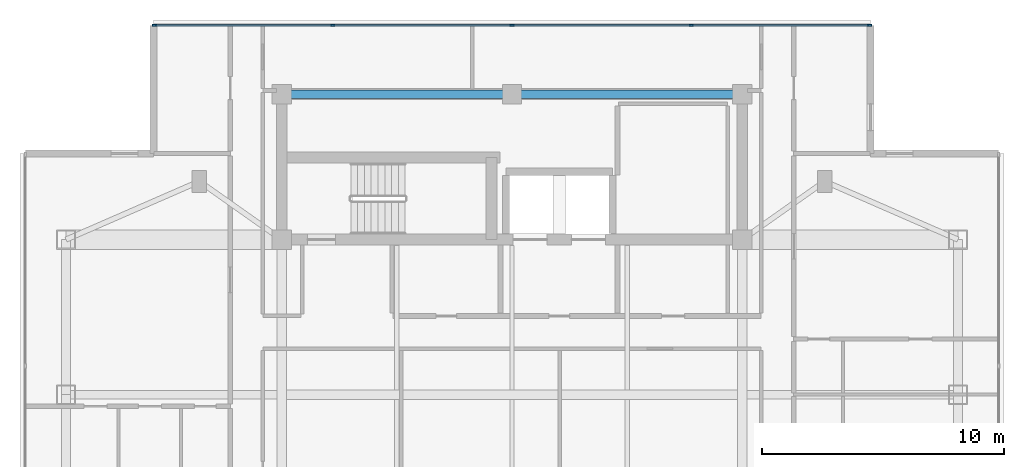
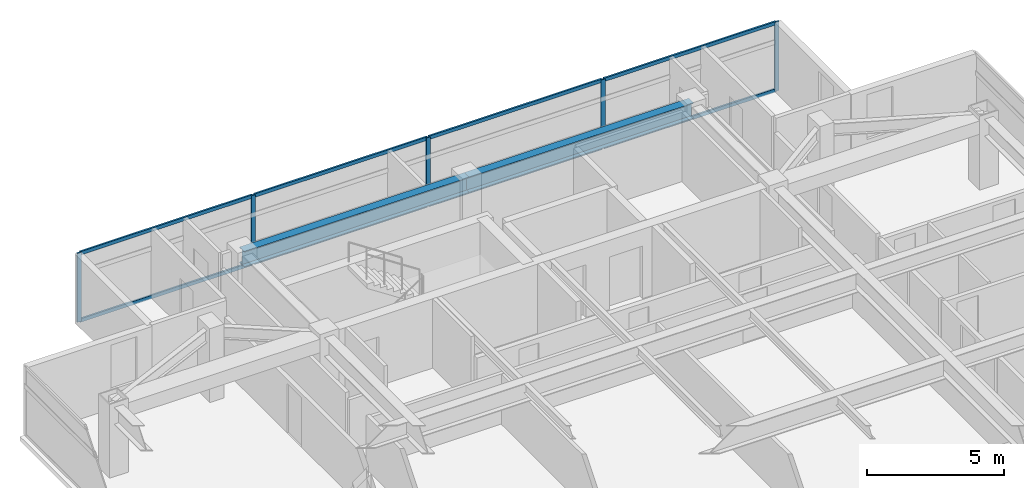
# One storey, part 5 of 12: 13 members, 2 beams, 1 element without a shape of its own.
"""IFC4 building model written with IfcOpenShell, lengths in metres."""

from ifc_helpers import new_model, si_unit, direction, frame, origin, origin_2d, place, context, subcontext, project, spatial, rectangle, i_section, extrude, material, material_profile, profile_set, type_object, element, aggregate, save


model = new_model("IFC4")

# Units and contexts
model_context = context("Model", 3, precision=1e-05, world=origin(), true_north=direction((0.0, 1.0)))
body_context = subcontext(model_context, "Body", "Model", "MODEL_VIEW")
ifc_project = project(units=[si_unit("LENGTHUNIT", "METRE"), si_unit("AREAUNIT", "SQUARE_METRE"), si_unit("VOLUMEUNIT", "CUBIC_METRE"), si_unit("PLANEANGLEUNIT", "RADIAN"), si_unit("MASSUNIT", "GRAM", prefix="KILO")], contexts=[model_context])

# Site, building, storey
site_placement = place(None, origin())
site = spatial("IfcSite", under=ifc_project, at=site_placement, CompositionType="ELEMENT")
building_placement = place(site_placement, origin())
building = spatial("IfcBuilding", under=site, at=building_placement, Name="Mirazonda Arch Towers", CompositionType="ELEMENT")
storey_placement = place(building_placement, frame((0.0, 0.0, 219.39990234375)))
storey = spatial("IfcBuildingStorey", under=building, at=storey_placement, Name="L62", CompositionType="ELEMENT", Elevation=219.39990234375)

# Beams
ifc_material_1 = material(Name="Steel ASTM A992 Grade 50", Category="steel")
ifc_material_profile_1 = material_profile(ifc_material_1, i_section(OverallWidth=0.35498046875, OverallDepth=0.696044921875, WebThickness=0.015380859375, FlangeThickness=0.02490234375, at=origin_2d()), Name="W27X146")
ifc_profile_set_1 = profile_set([ifc_material_profile_1], Name="Steel ASTM A992 Grade 50")
beam_type = type_object("IfcBeamType", Name="BM-INT-W27X146", PredefinedType="BEAM", material=ifc_profile_set_1)
for number, where, z_axis, x_axis, name in (
    (1, (11.0, 43.60009765625, 2.752197265625), (1.0, 0.0, 0.0), (0.0, 1.0, 0.0), "L62 Floor Beam BM-T1-L62-CN1"),
    (2, (20.5, 43.60009765625, 2.752197265625), (1.0, 0.0, 0.0), (0.0, 1.0, 0.0), "L62 Floor Beam BM-T1-L62-CN2"),
):
    element("IfcBeam", number, at=place(storey_placement, frame(where, z_axis=z_axis, x_axis=x_axis)), inside=storey, type_object=beam_type, Name=name, PredefinedType="BEAM", context=body_context, shape_type="SweptSolid", body=[
        extrude(i_section(OverallWidth=0.35498046875, OverallDepth=0.696044921875, WebThickness=0.015380859375, FlangeThickness=0.02490234375, at=origin_2d()), origin(), (0.0, 0.0, 1.0), 9.5),
    ])

# Curtain wall, members
ifc_material_2 = material(Name="Anodised Aluminium and Low-E Glass", Category="aluminium")
curtain_wall_type = type_object("IfcCurtainWallType", Name="CW-RES-UNIT", PredefinedType="NOTDEFINED", material=ifc_material_2)
curtain_wall_placement = place(storey_placement, origin())
curtain_wall = element("IfcCurtainWall", 3, at=curtain_wall_placement, inside=storey, type_object=curtain_wall_type, Name="L62 T1 N Facade CW-L62-T1-N", PredefinedType="NOTDEFINED")
ifc_material_3 = material(Name="Anodised Aluminium Alloy", Category="aluminium")
ifc_material_profile_2 = material_profile(ifc_material_3, rectangle(XDim=0.074951171875, YDim=0.175048828125, at=origin_2d()), Name="ALU-MULL-75x175")
ifc_profile_set_2 = profile_set([ifc_material_profile_2], Name="Anodised Aluminium Alloy")
member_type_1 = type_object("IfcMemberType", Name="MULL-CW-RES-UNIT", PredefinedType="MULLION", material=ifc_profile_set_2)
member_1_placement = place(storey_placement, frame((5.74755859375, 46.43994140625, 0.0), z_axis=(0.0, 0.0, 1.0), x_axis=(0.0, 1.0, 0.0)))
member_1 = element("IfcMember", 4, at=member_1_placement, type_object=member_type_1, Name="CW-104 mullion 1", PredefinedType="MULLION", context=body_context, shape_type="SweptSolid", body=[
    extrude(rectangle(XDim=0.074951171875, YDim=0.175048828125, at=origin_2d()), origin(), (0.0, 0.0, 1.0), 3.080078125),
])
member_2_placement = place(storey_placement, frame((13.10498046875, 46.43994140625, 0.0), z_axis=(0.0, 0.0, 1.0), x_axis=(0.0, 1.0, 0.0)))
member_2 = element("IfcMember", 5, at=member_2_placement, type_object=member_type_1, Name="CW-104 mullion 2", PredefinedType="MULLION", context=body_context, shape_type="SweptSolid", body=[
    extrude(rectangle(XDim=0.074951171875, YDim=0.175048828125, at=origin_2d()), origin(), (0.0, 0.0, 1.0), 3.080078125),
])
member_3_placement = place(storey_placement, frame((20.5, 46.43994140625, 0.0), z_axis=(0.0, 0.0, 1.0), x_axis=(0.0, 1.0, 0.0)))
member_3 = element("IfcMember", 6, at=member_3_placement, type_object=member_type_1, Name="CW-104 mullion 3", PredefinedType="MULLION", context=body_context, shape_type="SweptSolid", body=[
    extrude(rectangle(XDim=0.074951171875, YDim=0.175048828125, at=origin_2d()), origin(), (0.0, 0.0, 1.0), 3.080078125),
])
member_4_placement = place(storey_placement, frame((27.89501953125, 46.43994140625, 0.0), z_axis=(0.0, 0.0, 1.0), x_axis=(0.0, 1.0, 0.0)))
member_4 = element("IfcMember", 7, at=member_4_placement, type_object=member_type_1, Name="CW-104 mullion 4", PredefinedType="MULLION", context=body_context, shape_type="SweptSolid", body=[
    extrude(rectangle(XDim=0.074951171875, YDim=0.175048828125, at=origin_2d()), origin(), (0.0, 0.0, 1.0), 3.080078125),
])
member_5_placement = place(storey_placement, frame((35.25244140625, 46.43994140625, 0.0), z_axis=(0.0, 0.0, 1.0), x_axis=(0.0, 1.0, 0.0)))
member_5 = element("IfcMember", 8, at=member_5_placement, type_object=member_type_1, Name="CW-104 mullion 5", PredefinedType="MULLION", context=body_context, shape_type="SweptSolid", body=[
    extrude(rectangle(XDim=0.074951171875, YDim=0.175048828125, at=origin_2d()), origin(), (0.0, 0.0, 1.0), 3.080078125),
])
ifc_material_profile_3 = material_profile(ifc_material_3, rectangle(XDim=0.074951171875, YDim=0.155029296875, at=origin_2d()), Name="ALU-TRAN-75x155")
ifc_profile_set_3 = profile_set([ifc_material_profile_3], Name="Anodised Aluminium Alloy")
member_type_2 = type_object("IfcMemberType", Name="TRAN-CW-RES-UNIT", PredefinedType="USERDEFINED", material=ifc_profile_set_3)
member_6_placement = place(storey_placement, frame((5.784912109375, 46.43994140625, 0.03759765625), z_axis=(1.0, 0.0, 0.0), x_axis=(0.0, 1.0, 0.0)))
member_6 = element("IfcMember", 9, at=member_6_placement, type_object=member_type_2, Name="CW-104 transom 1.1", ObjectType="TRANSOM", PredefinedType="USERDEFINED", context=body_context, shape_type="SweptSolid", body=[
    extrude(rectangle(XDim=0.074951171875, YDim=0.155029296875, at=origin_2d()), origin(), (0.0, 0.0, 1.0), 7.282470703125),
])
member_7_placement = place(storey_placement, frame((5.784912109375, 46.43994140625, 3.04248046875), z_axis=(1.0, 0.0, 0.0), x_axis=(0.0, 1.0, 0.0)))
member_7 = element("IfcMember", 10, at=member_7_placement, type_object=member_type_2, Name="CW-104 transom 1.2", ObjectType="TRANSOM", PredefinedType="USERDEFINED", context=body_context, shape_type="SweptSolid", body=[
    extrude(rectangle(XDim=0.074951171875, YDim=0.155029296875, at=origin_2d()), origin(), (0.0, 0.0, 1.0), 7.282470703125),
])
member_8_placement = place(storey_placement, frame((13.142578125, 46.43994140625, 0.03759765625), z_axis=(1.0, 0.0, 0.0), x_axis=(0.0, 1.0, 0.0)))
member_8 = element("IfcMember", 11, at=member_8_placement, type_object=member_type_2, Name="CW-104 transom 2.1", ObjectType="TRANSOM", PredefinedType="USERDEFINED", context=body_context, shape_type="SweptSolid", body=[
    extrude(rectangle(XDim=0.074951171875, YDim=0.155029296875, at=origin_2d()), origin(), (0.0, 0.0, 1.0), 7.31982421875),
])
member_9_placement = place(storey_placement, frame((13.142578125, 46.43994140625, 3.04248046875), z_axis=(1.0, 0.0, 0.0), x_axis=(0.0, 1.0, 0.0)))
member_9 = element("IfcMember", 12, at=member_9_placement, type_object=member_type_2, Name="CW-104 transom 2.2", ObjectType="TRANSOM", PredefinedType="USERDEFINED", context=body_context, shape_type="SweptSolid", body=[
    extrude(rectangle(XDim=0.074951171875, YDim=0.155029296875, at=origin_2d()), origin(), (0.0, 0.0, 1.0), 7.31982421875),
])
member_10_placement = place(storey_placement, frame((20.53759765625, 46.43994140625, 0.03759765625), z_axis=(1.0, 0.0, 0.0), x_axis=(0.0, 1.0, 0.0)))
member_10 = element("IfcMember", 13, at=member_10_placement, type_object=member_type_2, Name="CW-104 transom 3.1", ObjectType="TRANSOM", PredefinedType="USERDEFINED", context=body_context, shape_type="SweptSolid", body=[
    extrude(rectangle(XDim=0.074951171875, YDim=0.155029296875, at=origin_2d()), origin(), (0.0, 0.0, 1.0), 7.31982421875),
])
member_11_placement = place(storey_placement, frame((20.53759765625, 46.43994140625, 3.04248046875), z_axis=(1.0, 0.0, 0.0), x_axis=(0.0, 1.0, 0.0)))
member_11 = element("IfcMember", 14, at=member_11_placement, type_object=member_type_2, Name="CW-104 transom 3.2", ObjectType="TRANSOM", PredefinedType="USERDEFINED", context=body_context, shape_type="SweptSolid", body=[
    extrude(rectangle(XDim=0.074951171875, YDim=0.155029296875, at=origin_2d()), origin(), (0.0, 0.0, 1.0), 7.31982421875),
])
member_12_placement = place(storey_placement, frame((27.9326171875, 46.43994140625, 0.03759765625), z_axis=(1.0, 0.0, 0.0), x_axis=(0.0, 1.0, 0.0)))
member_12 = element("IfcMember", 15, at=member_12_placement, type_object=member_type_2, Name="CW-104 transom 4.1", ObjectType="TRANSOM", PredefinedType="USERDEFINED", context=body_context, shape_type="SweptSolid", body=[
    extrude(rectangle(XDim=0.074951171875, YDim=0.155029296875, at=origin_2d()), origin(), (0.0, 0.0, 1.0), 7.282470703125),
])
member_13_placement = place(storey_placement, frame((27.9326171875, 46.43994140625, 3.04248046875), z_axis=(1.0, 0.0, 0.0), x_axis=(0.0, 1.0, 0.0)))
member_13 = element("IfcMember", 16, at=member_13_placement, type_object=member_type_2, Name="CW-104 transom 4.2", ObjectType="TRANSOM", PredefinedType="USERDEFINED", context=body_context, shape_type="SweptSolid", body=[
    extrude(rectangle(XDim=0.074951171875, YDim=0.155029296875, at=origin_2d()), origin(), (0.0, 0.0, 1.0), 7.282470703125),
])
aggregate(curtain_wall, [member_1, member_2, member_3, member_4, member_5, member_6, member_7, member_8, member_9, member_10, member_11, member_12, member_13])

save(model, "model.ifc")
